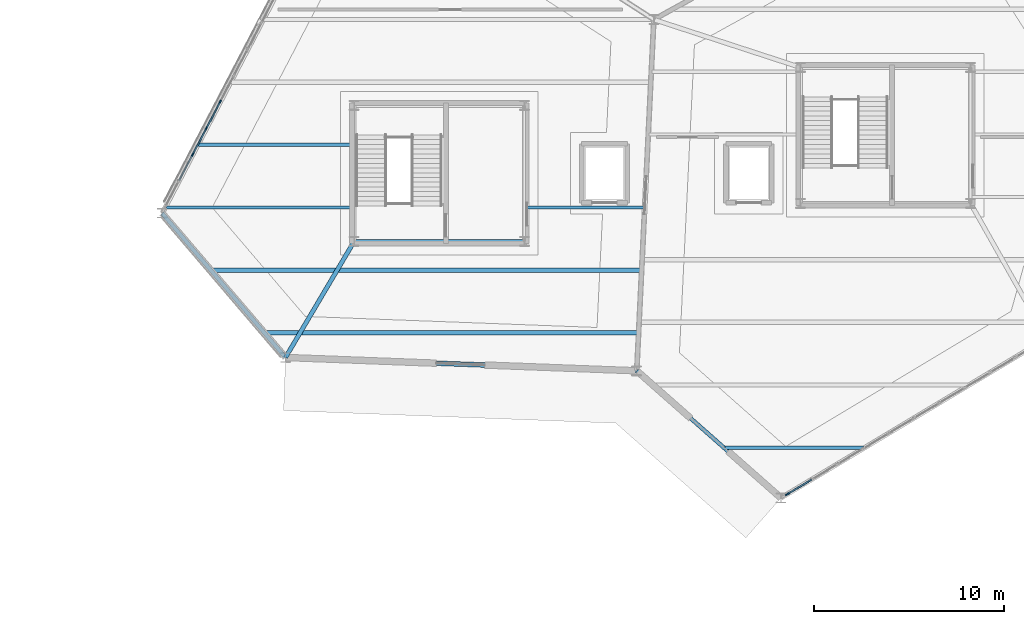
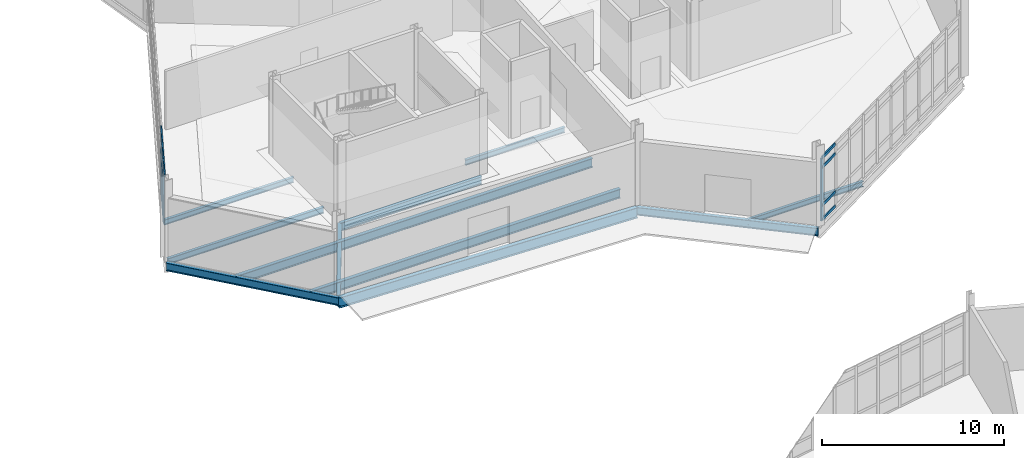
# One storey, part 49 of 113: 17 members, 11 beams, 2 elements without a shape of their own.
"""IFC4 building model written with IfcOpenShell, lengths in metres."""

from ifc_helpers import new_model, si_unit, direction, frame, origin, origin_2d, place, context, subcontext, project, spatial, rectangle, i_section, extrude, material, material_profile, profile_set, type_object, element, aggregate, save


model = new_model("IFC4")

# Units and contexts
model_context = context("Model", 3, precision=1e-05, world=origin(), true_north=direction((0.0, 1.0)))
body_context = subcontext(model_context, "Body", "Model", "MODEL_VIEW")
ifc_project = project(units=[si_unit("LENGTHUNIT", "METRE"), si_unit("AREAUNIT", "SQUARE_METRE"), si_unit("VOLUMEUNIT", "CUBIC_METRE"), si_unit("PLANEANGLEUNIT", "RADIAN"), si_unit("MASSUNIT", "GRAM", prefix="KILO")], contexts=[model_context])

# Site, building, storey
site_placement = place(None, origin())
site = spatial("IfcSite", under=ifc_project, at=site_placement, CompositionType="ELEMENT")
building_placement = place(site_placement, origin())
building = spatial("IfcBuilding", under=site, at=building_placement, Name="Tameran Prism Museum", CompositionType="ELEMENT")
storey_placement = place(building_placement, origin())
storey = spatial("IfcBuildingStorey", under=building, at=storey_placement, Name="L00", CompositionType="ELEMENT", Elevation=0.0)

# Beams
ifc_material_1 = material(Name="Steel Grade 300PLUS (300 MPa)", Category="steel")
ifc_material_profile_1 = material_profile(ifc_material_1, i_section(OverallWidth=0.172119140625, OverallDepth=0.35888671875, WebThickness=0.008056640625, FlangeThickness=0.012939453125, FilletRadius=0.011474609375, at=origin_2d()))
ifc_profile_set_1 = profile_set([ifc_material_profile_1])
beam_type_1 = type_object("IfcBeamType", Name="BM-J360A", PredefinedType="JOIST", material=ifc_profile_set_1)
beam_1_placement = place(storey_placement, frame((111.97998046875, 79.199951171875, -0.41943359375), z_axis=(1.0, 0.0, 0.0), x_axis=(0.0, 1.0, 0.0)))
element("IfcBeam", 1, at=beam_1_placement, inside=storey, type_object=beam_type_1, Name="Floor Beam BM-0161", PredefinedType="JOIST", context=body_context, shape_type="SweptSolid", body=[
    extrude(i_section(OverallWidth=0.172119140625, OverallDepth=0.35888671875, WebThickness=0.008056640625, FlangeThickness=0.012939453125, FilletRadius=0.011474609375, at=origin_2d()), origin(), (0.0, 0.0, 1.0), 6.298095703125),
])
beam_2_placement = place(storey_placement, frame((122.554931640625, 66.550048828125, -0.41943359375), z_axis=(1.0, 0.0, 0.0), x_axis=(0.0, 1.0, 0.0)))
element("IfcBeam", 2, at=beam_2_placement, inside=storey, type_object=beam_type_1, Name="Floor Beam BM-0168", PredefinedType="JOIST", context=body_context, shape_type="SweptSolid", body=[
    extrude(i_section(OverallWidth=0.172119140625, OverallDepth=0.35888671875, WebThickness=0.008056640625, FlangeThickness=0.012939453125, FilletRadius=0.011474609375, at=origin_2d()), origin(), (0.0, 0.0, 1.0), 7.2841796875),
])
ifc_material_2 = material(Name="Steel Grade 300PLUS (300 MPa)", Category="steel")
ifc_material_profile_2 = material_profile(ifc_material_2, i_section(OverallWidth=0.1708984375, OverallDepth=0.35595703125, WebThickness=0.00732421875, FlangeThickness=0.011474609375, FilletRadius=0.011474609375, at=origin_2d()))
ifc_profile_set_2 = profile_set([ifc_material_profile_2])
beam_type_2 = type_object("IfcBeamType", Name="BM-J360B", PredefinedType="JOIST", material=ifc_profile_set_2)
beam_3_placement = place(storey_placement, frame((94.825927734375, 82.5, -0.41796875), z_axis=(1.0, 0.0, 0.0), x_axis=(0.0, 1.0, 0.0)))
element("IfcBeam", 3, at=beam_3_placement, inside=storey, type_object=beam_type_2, Name="Floor Beam BM-0162", PredefinedType="JOIST", context=body_context, shape_type="SweptSolid", body=[
    extrude(i_section(OverallWidth=0.1708984375, OverallDepth=0.35595703125, WebThickness=0.00732421875, FlangeThickness=0.011474609375, FilletRadius=0.011474609375, at=origin_2d()), origin(), (0.0, 0.0, 1.0), 8.194091796875),
])
ifc_material_3 = material(Name="Steel Grade 300PLUS (300 MPa)", Category="steel")
ifc_material_profile_3 = material_profile(ifc_material_3, i_section(OverallWidth=0.177978515625, OverallDepth=0.403076171875, WebThickness=0.007568359375, FlangeThickness=0.010986328125, FilletRadius=0.011474609375, at=origin_2d()))
ifc_profile_set_3 = profile_set([ifc_material_profile_3])
beam_type_3 = type_object("IfcBeamType", Name="BM-J410B", PredefinedType="JOIST", material=ifc_profile_set_3)
beam_4_placement = place(storey_placement, frame((93.10205078125, 79.199951171875, -0.44140625), z_axis=(1.0, 0.0, 0.0), x_axis=(0.0, 1.0, 0.0)))
element("IfcBeam", 4, at=beam_4_placement, inside=storey, type_object=beam_type_3, Name="Floor Beam BM-0160", PredefinedType="JOIST", context=body_context, shape_type="SweptSolid", body=[
    extrude(i_section(OverallWidth=0.177978515625, OverallDepth=0.403076171875, WebThickness=0.007568359375, FlangeThickness=0.010986328125, FilletRadius=0.011474609375, at=origin_2d()), origin(), (0.0, 0.0, 1.0), 9.91796875),
])
ifc_material_4 = material(Name="Steel Grade 300PLUS (300 MPa)", Category="steel")
ifc_material_profile_4 = material_profile(ifc_material_4, i_section(OverallWidth=0.208984375, OverallDepth=0.532958984375, WebThickness=0.01025390625, FlangeThickness=0.015625, FilletRadius=0.013916015625, at=origin_2d()))
ifc_profile_set_4 = profile_set([ifc_material_profile_4])
beam_type_4 = type_object("IfcBeamType", Name="BM-SP530A", PredefinedType="SPANDREL", material=ifc_profile_set_4)
beam_5_placement = place(storey_placement, frame((92.89990234375, 78.89990234375, -0.506591796875), z_axis=(0.649974737731, -0.75995581471, 0.0), x_axis=(0.75995581471, 0.649974737731, 0.0)))
element("IfcBeam", 5, at=beam_5_placement, inside=storey, type_object=beam_type_4, Name="Perimeter Spandrel SP-0005", PredefinedType="SPANDREL", context=body_context, shape_type="SweptSolid", body=[
    extrude(i_section(OverallWidth=0.208984375, OverallDepth=0.532958984375, WebThickness=0.01025390625, FlangeThickness=0.015625, FilletRadius=0.013916015625, at=origin_2d()), origin(), (0.0, 0.0, 1.0), 10.00048828125),
])
beam_6_placement = place(storey_placement, frame((117.89990234375, 70.60009765625, -0.506591796875), z_axis=(0.750120474088, -0.661301197908, 0.0), x_axis=(0.661301197908, 0.750120474088, 0.0)))
element("IfcBeam", 6, at=beam_6_placement, inside=storey, type_object=beam_type_4, Name="Perimeter Spandrel SP-0006", PredefinedType="SPANDREL", context=body_context, shape_type="SweptSolid", body=[
    extrude(i_section(OverallWidth=0.208984375, OverallDepth=0.532958984375, WebThickness=0.01025390625, FlangeThickness=0.015625, FilletRadius=0.013916015625, at=origin_2d()), origin(), (0.0, 0.0, 1.0), 10.1318359375),
])
ifc_material_5 = material(Name="Steel Grade 300PLUS (300 MPa)", Category="steel")
ifc_material_profile_5 = material_profile(ifc_material_5, i_section(OverallWidth=0.208984375, OverallDepth=0.528076171875, WebThickness=0.009521484375, FlangeThickness=0.01318359375, FilletRadius=0.013916015625, at=origin_2d()))
ifc_profile_set_5 = profile_set([ifc_material_profile_5])
beam_type_5 = type_object("IfcBeamType", Name="BM-SP530B", PredefinedType="SPANDREL", material=ifc_profile_set_5)
beam_7_placement = place(storey_placement, frame((103.02001953125, 77.419921875, -0.50390625), z_axis=(1.0, 0.0, 0.0), x_axis=(0.0, 1.0, 0.0)))
element("IfcBeam", 7, at=beam_7_placement, inside=storey, type_object=beam_type_5, Name="Core Ring Beam CTB-0102", PredefinedType="SPANDREL", context=body_context, shape_type="SweptSolid", body=[
    extrude(i_section(OverallWidth=0.208984375, OverallDepth=0.528076171875, WebThickness=0.009521484375, FlangeThickness=0.01318359375, FilletRadius=0.013916015625, at=origin_2d()), origin(), (0.0, 0.0, 1.0), 8.9599609375),
])
ifc_material_6 = material(Name="Steel Grade 350 (350 MPa)", Category="steel")
ifc_material_profile_6 = material_profile(ifc_material_6, i_section(OverallWidth=0.25, OverallDepth=0.699951171875, WebThickness=0.010009765625, FlangeThickness=0.02001953125, at=origin_2d()))
ifc_profile_set_6 = profile_set([ifc_material_profile_6])
beam_type_6 = type_object("IfcBeamType", Name="BM-SP700", PredefinedType="SPANDREL", material=ifc_profile_set_6)
beam_8_placement = place(storey_placement, frame((99.39990234375, 71.300048828125, -0.590087890625), z_axis=(0.999285016412, -0.037808146934, 0.0), x_axis=(0.037808146934, 0.999285016412, 0.0)))
element("IfcBeam", 8, at=beam_8_placement, inside=storey, type_object=beam_type_6, Name="Perimeter Spandrel SP-0001", PredefinedType="SPANDREL", context=body_context, shape_type="SweptSolid", body=[
    extrude(i_section(OverallWidth=0.25, OverallDepth=0.699951171875, WebThickness=0.010009765625, FlangeThickness=0.02001953125, at=origin_2d()), origin(), (0.0, 0.0, 1.0), 18.51318359375),
])
ifc_material_7 = material(Name="Steel Grade 300PLUS (300 MPa)", Category="steel")
ifc_material_profile_7 = material_profile(ifc_material_7, i_section(OverallWidth=0.22900390625, OverallDepth=0.612060546875, WebThickness=0.011962890625, FlangeThickness=0.01953125, FilletRadius=0.013916015625, at=origin_2d()))
ifc_profile_set_7 = profile_set([ifc_material_profile_7])
beam_type_7 = type_object("IfcBeamType", Name="BM-UB610A", PredefinedType="BEAM", material=ifc_profile_set_7)
beam_9_placement = place(storey_placement, frame((103.02001953125, 77.419921875, -0.56005859375), z_axis=(-0.50912834972, -0.860690608472, 0.0), x_axis=(0.860690608472, -0.50912834972, 0.0)))
element("IfcBeam", 9, at=beam_9_placement, inside=storey, type_object=beam_type_7, Name="Frame Tie Girder FG-1381", PredefinedType="BEAM", context=body_context, shape_type="SweptSolid", body=[
    extrude(i_section(OverallWidth=0.22900390625, OverallDepth=0.612060546875, WebThickness=0.011962890625, FlangeThickness=0.01953125, FilletRadius=0.013916015625, at=origin_2d()), origin(), (0.0, 0.0, 1.0), 7.1103515625),
])
ifc_material_8 = material(Name="Steel Grade 300PLUS (300 MPa)", Category="steel")
ifc_material_profile_8 = material_profile(ifc_material_8, i_section(OverallWidth=0.22802734375, OverallDepth=0.60693359375, WebThickness=0.01123046875, FlangeThickness=0.017333984375, FilletRadius=0.013916015625, at=origin_2d()))
ifc_profile_set_8 = profile_set([ifc_material_profile_8])
beam_type_8 = type_object("IfcBeamType", Name="BM-UB610B", PredefinedType="BEAM", material=ifc_profile_set_8)
beam_10_placement = place(storey_placement, frame((98.341064453125, 72.60009765625, -0.54345703125), z_axis=(1.0, 0.0, 0.0), x_axis=(0.0, 1.0, 0.0)))
element("IfcBeam", 10, at=beam_10_placement, inside=storey, type_object=beam_type_8, Name="Floor Beam BM-0158", PredefinedType="BEAM", context=body_context, shape_type="SweptSolid", body=[
    extrude(i_section(OverallWidth=0.22802734375, OverallDepth=0.60693359375, WebThickness=0.01123046875, FlangeThickness=0.017333984375, FilletRadius=0.013916015625, at=origin_2d()), origin(), (0.0, 0.0, 1.0), 19.615966796875),
])
beam_11_placement = place(storey_placement, frame((95.51806640625, 75.89990234375, -0.54345703125), z_axis=(1.0, 0.0, 0.0), x_axis=(0.0, 1.0, 0.0)))
element("IfcBeam", 11, at=beam_11_placement, inside=storey, type_object=beam_type_8, Name="Floor Beam BM-0159", PredefinedType="BEAM", context=body_context, shape_type="SweptSolid", body=[
    extrude(i_section(OverallWidth=0.22802734375, OverallDepth=0.60693359375, WebThickness=0.01123046875, FlangeThickness=0.017333984375, FilletRadius=0.013916015625, at=origin_2d()), origin(), (0.0, 0.0, 1.0), 22.599853515625),
])

# Curtain wall, members
ifc_material_9 = material(Name="Anodised Aluminium 6063-T6 and Cyclone Solar Glass", Category="aluminium")
curtain_wall_type_1 = type_object("IfcCurtainWallType", Name="CW-FAC-2192x422", PredefinedType="USERDEFINED", material=ifc_material_9)
curtain_wall_1_placement = place(storey_placement, origin())
curtain_wall_1 = element("IfcCurtainWall", 12, at=curtain_wall_1_placement, inside=storey, type_object=curtain_wall_type_1, Name="Unitised Curtain Wall CW-021", ObjectType="UNITISED CURTAIN WALL", PredefinedType="USERDEFINED")
ifc_material_10 = material(Name="Anodised Aluminium Alloy 6063-T6", Category="aluminium")
ifc_material_profile_9 = material_profile(ifc_material_10, rectangle(XDim=0.074951171875, YDim=0.199951171875, at=origin_2d()))
ifc_profile_set_9 = profile_set([ifc_material_profile_9])
member_type_1 = type_object("IfcMemberType", Name="CW-MUL-C", PredefinedType="MULLION", material=ifc_profile_set_9)
member_1_placement = place(storey_placement, frame((94.51171875, 81.9853515625, 0.0), z_axis=(0.0, 0.0, 1.0), x_axis=(-0.886356952612, 0.463002540551, 0.0)))
member_1 = element("IfcMember", 13, at=member_1_placement, type_object=member_type_1, Name="CW-021 mullion 3", PredefinedType="MULLION", context=body_context, shape_type="SweptSolid", body=[
    extrude(rectangle(XDim=0.074951171875, YDim=0.199951171875, at=origin_2d()), origin(), (0.0, 0.0, 1.0), 4.219970703125),
])
member_2_placement = place(storey_placement, frame((95.236572265625, 83.373046875, 0.0), z_axis=(0.0, 0.0, 1.0), x_axis=(-0.886356952612, 0.463002540551, 0.0)))
member_2 = element("IfcMember", 14, at=member_2_placement, type_object=member_type_1, Name="CW-021 mullion 4", PredefinedType="MULLION", context=body_context, shape_type="SweptSolid", body=[
    extrude(rectangle(XDim=0.074951171875, YDim=0.199951171875, at=origin_2d()), origin(), (0.0, 0.0, 1.0), 4.219970703125),
])
member_3_placement = place(storey_placement, frame((95.96142578125, 84.760498046875, 0.0), z_axis=(0.0, 0.0, 1.0), x_axis=(-0.886356952612, 0.463002540551, 0.0)))
member_3 = element("IfcMember", 15, at=member_3_placement, type_object=member_type_1, Name="CW-021 mullion 5", PredefinedType="MULLION", context=body_context, shape_type="SweptSolid", body=[
    extrude(rectangle(XDim=0.074951171875, YDim=0.199951171875, at=origin_2d()), origin(), (0.0, 0.0, 1.0), 4.219970703125),
])

# Curtain wall, member
ifc_material_11 = material(Name="Anodised Aluminium 6063-T6 and Cyclone Solar Glass", Category="aluminium")
curtain_wall_type_2 = type_object("IfcCurtainWallType", Name="CW-FAC-1563x422", PredefinedType="USERDEFINED", material=ifc_material_11)
curtain_wall_2_placement = place(storey_placement, origin())
curtain_wall_2 = element("IfcCurtainWall", 16, at=curtain_wall_2_placement, inside=storey, type_object=curtain_wall_type_2, Name="Unitised Curtain Wall CW-022", ObjectType="UNITISED CURTAIN WALL", PredefinedType="USERDEFINED")
ifc_material_12 = material(Name="Anodised Aluminium Alloy 6063-T6", Category="aluminium")
ifc_material_profile_10 = material_profile(ifc_material_12, rectangle(XDim=0.080078125, YDim=0.219970703125, at=origin_2d()))
ifc_profile_set_10 = profile_set([ifc_material_profile_10])
member_type_2 = type_object("IfcMemberType", Name="CW-MUL-D", PredefinedType="MULLION", material=ifc_profile_set_10)
member_4_placement = place(storey_placement, frame((125.834228515625, 64.1005859375, 0.0), z_axis=(0.0, 0.0, 1.0), x_axis=(0.514495755426, -0.857492925713, 0.0)))
member_4 = element("IfcMember", 17, at=member_4_placement, type_object=member_type_2, Name="CW-022 mullion 11", PredefinedType="MULLION", context=body_context, shape_type="SweptSolid", body=[
    extrude(rectangle(XDim=0.080078125, YDim=0.219970703125, at=origin_2d()), origin(), (0.0, 0.0, 1.0), 4.219970703125),
])

# Member
ifc_material_13 = material(Name="Anodised Aluminium Alloy 6063-T6", Category="aluminium")
ifc_material_profile_11 = material_profile(ifc_material_13, rectangle(XDim=0.074951171875, YDim=0.175048828125, at=origin_2d()))
ifc_profile_set_11 = profile_set([ifc_material_profile_11])
member_type_3 = type_object("IfcMemberType", Name="CW-TRN-C", PredefinedType="USERDEFINED", material=ifc_profile_set_11)
member_5_placement = place(storey_placement, frame((93.80419921875, 80.630859375, 4.1826171875), z_axis=(0.462996930736, 0.886359882965, 0.0), x_axis=(-0.886359882965, 0.462996930736, 0.0)))
member_5 = element("IfcMember", 18, at=member_5_placement, type_object=member_type_3, Name="CW-021 transom 2.4", ObjectType="TRANSOM", PredefinedType="USERDEFINED", context=body_context, shape_type="SweptSolid", body=[
    extrude(rectangle(XDim=0.074951171875, YDim=0.175048828125, at=origin_2d()), origin(), (0.0, 0.0, 1.0), 1.49072265625),
])

member_6_placement = place(storey_placement, frame((94.529052734375, 82.0185546875, 0.03759765625), z_axis=(0.463064150185, 0.886324767122, 0.0), x_axis=(-0.886324767122, 0.463064150185, 0.0)))
member_6 = element("IfcMember", 19, at=member_6_placement, type_object=member_type_3, Name="CW-021 transom 3.1", ObjectType="TRANSOM", PredefinedType="USERDEFINED", context=body_context, shape_type="SweptSolid", body=[
    extrude(rectangle(XDim=0.074951171875, YDim=0.175048828125, at=origin_2d()), origin(), (0.0, 0.0, 1.0), 1.490478515625),
])

member_7_placement = place(storey_placement, frame((94.529052734375, 82.0185546875, 1.0), z_axis=(0.463064150185, 0.886324767122, 0.0), x_axis=(-0.886324767122, 0.463064150185, 0.0)))
member_7 = element("IfcMember", 20, at=member_7_placement, type_object=member_type_3, Name="CW-021 transom 3.2", ObjectType="TRANSOM", PredefinedType="USERDEFINED", context=body_context, shape_type="SweptSolid", body=[
    extrude(rectangle(XDim=0.074951171875, YDim=0.175048828125, at=origin_2d()), origin(), (0.0, 0.0, 1.0), 1.490478515625),
])

member_8_placement = place(storey_placement, frame((94.529052734375, 82.0185546875, 3.5400390625), z_axis=(0.463064150185, 0.886324767122, 0.0), x_axis=(-0.886324767122, 0.463064150185, 0.0)))
member_8 = element("IfcMember", 21, at=member_8_placement, type_object=member_type_3, Name="CW-021 transom 3.3", ObjectType="TRANSOM", PredefinedType="USERDEFINED", context=body_context, shape_type="SweptSolid", body=[
    extrude(rectangle(XDim=0.074951171875, YDim=0.175048828125, at=origin_2d()), origin(), (0.0, 0.0, 1.0), 1.490478515625),
])

member_9_placement = place(storey_placement, frame((94.529052734375, 82.0185546875, 4.1826171875), z_axis=(0.463064150185, 0.886324767122, 0.0), x_axis=(-0.886324767122, 0.463064150185, 0.0)))
member_9 = element("IfcMember", 22, at=member_9_placement, type_object=member_type_3, Name="CW-021 transom 3.4", ObjectType="TRANSOM", PredefinedType="USERDEFINED", context=body_context, shape_type="SweptSolid", body=[
    extrude(rectangle(XDim=0.074951171875, YDim=0.175048828125, at=origin_2d()), origin(), (0.0, 0.0, 1.0), 1.490478515625),
])

member_10_placement = place(storey_placement, frame((95.25390625, 83.40625, 0.03759765625), z_axis=(0.463064150185, 0.886324767122, 0.0), x_axis=(-0.886324767122, 0.463064150185, 0.0)))
member_10 = element("IfcMember", 23, at=member_10_placement, type_object=member_type_3, Name="CW-021 transom 4.1", ObjectType="TRANSOM", PredefinedType="USERDEFINED", context=body_context, shape_type="SweptSolid", body=[
    extrude(rectangle(XDim=0.074951171875, YDim=0.175048828125, at=origin_2d()), origin(), (0.0, 0.0, 1.0), 1.490478515625),
])

member_11_placement = place(storey_placement, frame((95.25390625, 83.40625, 1.0), z_axis=(0.463064150185, 0.886324767122, 0.0), x_axis=(-0.886324767122, 0.463064150185, 0.0)))
member_11 = element("IfcMember", 24, at=member_11_placement, type_object=member_type_3, Name="CW-021 transom 4.2", ObjectType="TRANSOM", PredefinedType="USERDEFINED", context=body_context, shape_type="SweptSolid", body=[
    extrude(rectangle(XDim=0.074951171875, YDim=0.175048828125, at=origin_2d()), origin(), (0.0, 0.0, 1.0), 1.490478515625),
])

member_12_placement = place(storey_placement, frame((95.25390625, 83.40625, 3.5400390625), z_axis=(0.463064150185, 0.886324767122, 0.0), x_axis=(-0.886324767122, 0.463064150185, 0.0)))
member_12 = element("IfcMember", 25, at=member_12_placement, type_object=member_type_3, Name="CW-021 transom 4.3", ObjectType="TRANSOM", PredefinedType="USERDEFINED", context=body_context, shape_type="SweptSolid", body=[
    extrude(rectangle(XDim=0.074951171875, YDim=0.175048828125, at=origin_2d()), origin(), (0.0, 0.0, 1.0), 1.490478515625),
])

member_13_placement = place(storey_placement, frame((95.25390625, 83.40625, 4.1826171875), z_axis=(0.463064150185, 0.886324767122, 0.0), x_axis=(-0.886324767122, 0.463064150185, 0.0)))
member_13 = element("IfcMember", 26, at=member_13_placement, type_object=member_type_3, Name="CW-021 transom 4.4", ObjectType="TRANSOM", PredefinedType="USERDEFINED", context=body_context, shape_type="SweptSolid", body=[
    extrude(rectangle(XDim=0.074951171875, YDim=0.175048828125, at=origin_2d()), origin(), (0.0, 0.0, 1.0), 1.490478515625),
])

aggregate(curtain_wall_1, [member_1, member_2, member_3, member_5, member_6, member_7, member_8, member_9, member_10, member_11, member_12, member_13])

ifc_material_14 = material(Name="Anodised Aluminium Alloy 6063-T6", Category="aluminium")
ifc_material_profile_12 = material_profile(ifc_material_14, rectangle(XDim=0.080078125, YDim=0.195068359375, at=origin_2d()))
ifc_profile_set_12 = profile_set([ifc_material_profile_12])
member_type_4 = type_object("IfcMemberType", Name="CW-TRN-D", PredefinedType="USERDEFINED", material=ifc_profile_set_12)
member_14_placement = place(storey_placement, frame((127.105712890625, 64.863525390625, 0.0400390625), z_axis=(-0.857433195546, -0.51459529261, 0.0), x_axis=(0.51459529261, -0.857433195546, 0.0)))
member_14 = element("IfcMember", 27, at=member_14_placement, type_object=member_type_4, Name="CW-022 transom 10.1", ObjectType="TRANSOM", PredefinedType="USERDEFINED", context=body_context, shape_type="SweptSolid", body=[
    extrude(rectangle(XDim=0.080078125, YDim=0.195068359375, at=origin_2d()), origin(), (0.0, 0.0, 1.0), 1.442626953125),
])

member_15_placement = place(storey_placement, frame((127.105712890625, 64.863525390625, 1.0), z_axis=(-0.857433195546, -0.51459529261, 0.0), x_axis=(0.51459529261, -0.857433195546, 0.0)))
member_15 = element("IfcMember", 28, at=member_15_placement, type_object=member_type_4, Name="CW-022 transom 10.2", ObjectType="TRANSOM", PredefinedType="USERDEFINED", context=body_context, shape_type="SweptSolid", body=[
    extrude(rectangle(XDim=0.080078125, YDim=0.195068359375, at=origin_2d()), origin(), (0.0, 0.0, 1.0), 1.442626953125),
])

member_16_placement = place(storey_placement, frame((127.105712890625, 64.863525390625, 3.5400390625), z_axis=(-0.857433195546, -0.51459529261, 0.0), x_axis=(0.51459529261, -0.857433195546, 0.0)))
member_16 = element("IfcMember", 29, at=member_16_placement, type_object=member_type_4, Name="CW-022 transom 10.3", ObjectType="TRANSOM", PredefinedType="USERDEFINED", context=body_context, shape_type="SweptSolid", body=[
    extrude(rectangle(XDim=0.080078125, YDim=0.195068359375, at=origin_2d()), origin(), (0.0, 0.0, 1.0), 1.442626953125),
])

member_17_placement = place(storey_placement, frame((127.105712890625, 64.863525390625, 4.179931640625), z_axis=(-0.857433195546, -0.51459529261, 0.0), x_axis=(0.51459529261, -0.857433195546, 0.0)))
member_17 = element("IfcMember", 30, at=member_17_placement, type_object=member_type_4, Name="CW-022 transom 10.4", ObjectType="TRANSOM", PredefinedType="USERDEFINED", context=body_context, shape_type="SweptSolid", body=[
    extrude(rectangle(XDim=0.080078125, YDim=0.195068359375, at=origin_2d()), origin(), (0.0, 0.0, 1.0), 1.442626953125),
])

aggregate(curtain_wall_2, [member_4, member_14, member_15, member_16, member_17])

save(model, "model.ifc")
